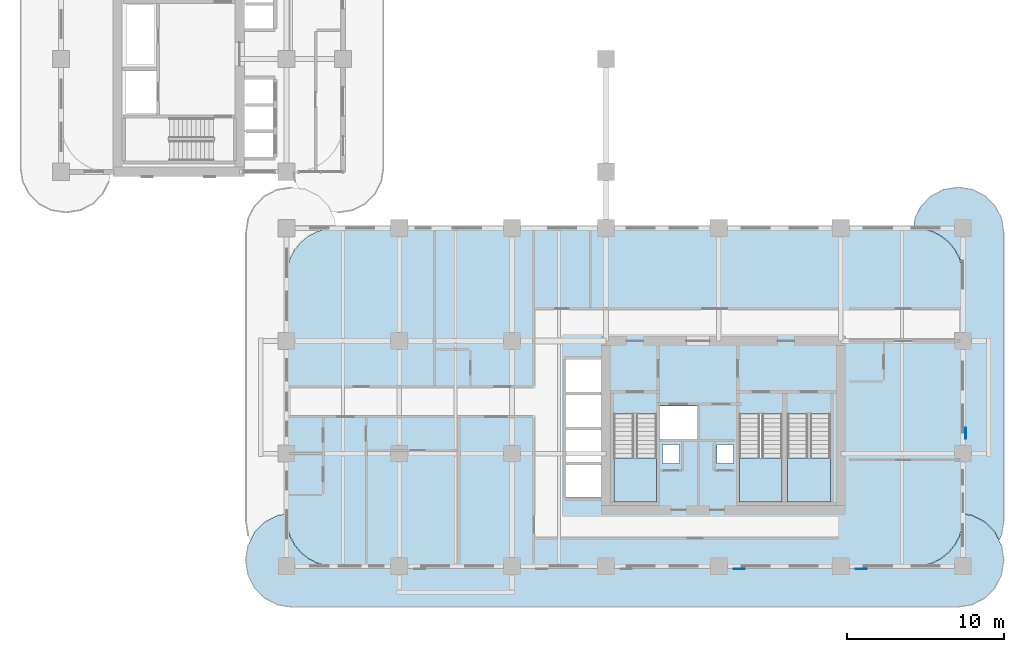
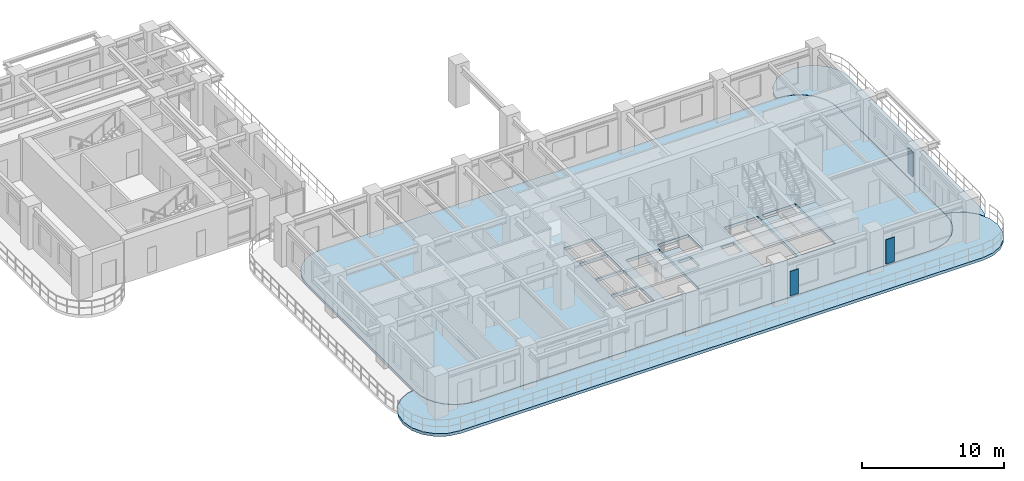
# One storey, part 5 of 19: 6 slabs, 3 plates, 3 elements without a shape of their own.
"""IFC4 building model written with IfcOpenShell, lengths in metres."""

from ifc_helpers import new_model, si_unit, derived_unit, direction, frame, origin, origin_2d, place, context, subcontext, project, spatial, polyline, rectangle, outline, extrude, source, transform, mapped, material, layer, layer_set, type_object, type_shapes, element, aggregate, save


model = new_model("IFC4")

# Units and contexts
model_context = context("Model", 3, precision=1e-05, world=origin(), true_north=direction((0.0, 1.0)))
body_context = subcontext(model_context, "Body", "Model", "MODEL_VIEW")
ifc_project = project(units=[si_unit("LENGTHUNIT", "METRE"), si_unit("AREAUNIT", "SQUARE_METRE"), si_unit("VOLUMEUNIT", "CUBIC_METRE"), si_unit("PLANEANGLEUNIT", "RADIAN"), si_unit("MASSUNIT", "GRAM", prefix="KILO"), si_unit("THERMODYNAMICTEMPERATUREUNIT", "KELVIN"), si_unit("POWERUNIT", "WATT"), derived_unit("THERMALTRANSMITTANCEUNIT", [(si_unit("POWERUNIT", "WATT"), 1), (si_unit("AREAUNIT", "SQUARE_METRE"), -1), (si_unit("THERMODYNAMICTEMPERATUREUNIT", "KELVIN"), -1)])], contexts=[model_context])

# Site, building, storey
site_placement = place(None, origin())
site = spatial("IfcSite", under=ifc_project, at=site_placement, CompositionType="ELEMENT")
building_placement = place(site_placement, origin())
building = spatial("IfcBuilding", under=site, at=building_placement, Name="Zahravan Archway Hotel and Residences", CompositionType="ELEMENT")
storey_placement = place(building_placement, frame((0.0, 0.0, 62.0)))
storey = spatial("IfcBuildingStorey", under=building, at=storey_placement, Name="L14", CompositionType="ELEMENT", Elevation=62.0)

# Slabs
ifc_material_1 = material(Name="Concrete C45/55", Category="concrete")
ifc_layer_1 = layer(ifc_material_1, 0.25, Name="Concrete C45/55", Category="concrete")
ifc_layer_set_1 = layer_set([ifc_layer_1], Name="Concrete C45/55")
slab_type_1 = type_object("IfcSlabType", Name="SLB-BALC-250", PredefinedType="FLOOR", material=ifc_layer_set_1)
slab_1_placement = place(storey_placement, frame((0.0, 0.0, -0.25)))
element("IfcSlab", 1, at=slab_1_placement, inside=storey, type_object=slab_type_1, Name="L14 Wing A South Rounded Balcony Band", PredefinedType="FLOOR", context=body_context, shape_type="SweptSolid", body=[
    extrude(outline(polyline([(58.16162109375, 3.255615234375), (58.98388671875, 2.836669921875), (59.63671875, 2.18408203125), (60.0556640625, 1.361572265625), (60.199951171875, 0.449951171875), (60.199951171875, 0.35009765625), (60.0556640625, -0.5615234375), (59.63671875, -1.384033203125), (58.98388671875, -2.03662109375), (58.16162109375, -2.45556640625), (57.25, -2.60009765625), (14.75, -2.60009765625), (13.83837890625, -2.45556640625), (13.01611328125, -2.03662109375), (12.36328125, -1.384033203125), (11.9443359375, -0.5615234375), (11.800048828125, 0.35009765625), (11.800048828125, 0.449951171875), (11.9443359375, 1.361572265625), (12.36328125, 2.18408203125), (13.01611328125, 2.836669921875), (13.83837890625, 3.255615234375), (14.3798828125, 3.34130859375), (14.3798828125, 3.10009765625), (14.380126953125, 3.097900390625), (14.439697265625, 2.4931640625), (14.43994140625, 2.4912109375), (14.4404296875, 2.489501953125), (14.616943359375, 1.907958984375), (14.617431640625, 1.906005859375), (14.618408203125, 1.904296875), (14.90478515625, 1.368408203125), (14.90576171875, 1.36669921875), (14.906982421875, 1.364990234375), (15.29248046875, 0.895263671875), (15.2939453125, 0.893798828125), (15.29541015625, 0.892578125), (15.764892578125, 0.5068359375), (15.7666015625, 0.505859375), (15.768310546875, 0.5048828125), (16.30419921875, 0.218505859375), (16.305908203125, 0.217529296875), (16.307861328125, 0.216796875), (16.889404296875, 0.04052734375), (16.891357421875, 0.0400390625), (16.893310546875, 0.039794921875), (17.498046875, -0.02001953125), (17.5, -0.02001953125), (54.5, -0.02001953125), (54.501953125, -0.02001953125), (55.106689453125, 0.039794921875), (55.108642578125, 0.0400390625), (55.110595703125, 0.04052734375), (55.692138671875, 0.216796875), (55.694091796875, 0.217529296875), (55.69580078125, 0.218505859375), (56.231689453125, 0.5048828125), (56.2333984375, 0.505859375), (56.235107421875, 0.5068359375), (56.70458984375, 0.892578125), (56.7060546875, 0.893798828125), (56.70751953125, 0.895263671875), (57.093017578125, 1.364990234375), (57.09423828125, 1.36669921875), (57.09521484375, 1.368408203125), (57.381591796875, 1.904296875), (57.382568359375, 1.906005859375), (57.383056640625, 1.907958984375), (57.5595703125, 2.489501953125), (57.56005859375, 2.4912109375), (57.560302734375, 2.4931640625), (57.619873046875, 3.097900390625), (57.6201171875, 3.10009765625), (57.6201171875, 3.34130859375), (58.16162109375, 3.255615234375)])), origin(), (0.0, 0.0, 1.0), 0.25),
])
slab_2_placement = place(storey_placement, frame((0.0, 0.0, -0.25)))
element("IfcSlab", 2, at=slab_2_placement, inside=storey, type_object=slab_type_1, Name="L14 Wing A East Rounded Balcony Band", PredefinedType="FLOOR", context=body_context, shape_type="SweptSolid", body=[
    extrude(outline(polyline([(54.53955078125, 22.230712890625), (54.9443359375, 23.025146484375), (55.57470703125, 23.65576171875), (56.369384765625, 24.060546875), (57.25, 24.199951171875), (57.35009765625, 24.199951171875), (58.230712890625, 24.060546875), (59.025146484375, 23.65576171875), (59.65576171875, 23.025146484375), (60.060546875, 22.230712890625), (60.199951171875, 21.35009765625), (60.199951171875, 2.85009765625), (60.060546875, 1.96923828125), (59.91455078125, 1.6826171875), (59.654296875, 2.193115234375), (59.6533203125, 2.19482421875), (59.652099609375, 2.196533203125), (59.650634765625, 2.197998046875), (58.998046875, 2.8505859375), (58.99658203125, 2.85205078125), (58.994873046875, 2.853515625), (58.9931640625, 2.8544921875), (58.170654296875, 3.2734375), (58.168701171875, 3.2744140625), (58.166748046875, 3.27490234375), (58.164794921875, 3.275390625), (57.623046875, 3.361083984375), (57.62109375, 3.361328125), (57.6201171875, 3.361328125), (57.6201171875, 18.5), (57.619873046875, 18.501953125), (57.560302734375, 19.106689453125), (57.56005859375, 19.108642578125), (57.5595703125, 19.110595703125), (57.383056640625, 19.692138671875), (57.382568359375, 19.694091796875), (57.381591796875, 19.69580078125), (57.09521484375, 20.231689453125), (57.09423828125, 20.2333984375), (57.093017578125, 20.235107421875), (56.70751953125, 20.70458984375), (56.7060546875, 20.7060546875), (56.70458984375, 20.70751953125), (56.235107421875, 21.093017578125), (56.2333984375, 21.09423828125), (56.231689453125, 21.09521484375), (55.69580078125, 21.381591796875), (55.694091796875, 21.382568359375), (55.692138671875, 21.383056640625), (55.110595703125, 21.5595703125), (55.108642578125, 21.56005859375), (55.106689453125, 21.560302734375), (54.501953125, 21.619873046875), (54.5, 21.6201171875), (54.44287109375, 21.6201171875), (54.53955078125, 22.230712890625)])), origin(), (0.0, 0.0, 1.0), 0.25),
])
ifc_layer_2 = layer(ifc_material_1, 0.25, Name="Concrete C45/55", Category="concrete")
ifc_layer_set_2 = layer_set([ifc_layer_2], Name="Concrete C45/55")
slab_type_2 = type_object("IfcSlabType", Name="SLB-FLR-250", PredefinedType="FLOOR", material=ifc_layer_set_2)
slab_3_placement = place(storey_placement, frame((0.0, 0.0, -0.25)))
element("IfcSlab", 3, at=slab_3_placement, inside=storey, type_object=slab_type_2, Name="L14 Floor Slab WA", PredefinedType="FLOOR", context=body_context, shape_type="SweptSolid", body=[
    extrude(outline(polyline([(54.5, 0.0), (55.104736328125, 0.0595703125), (55.686279296875, 0.236083984375), (56.222412109375, 0.5224609375), (56.69189453125, 0.907958984375), (57.07763671875, 1.377685546875), (57.364013671875, 1.913818359375), (57.540283203125, 2.4951171875), (57.60009765625, 3.10009765625), (57.60009765625, 18.5), (57.540283203125, 19.104736328125), (57.364013671875, 19.686279296875), (57.07763671875, 20.222412109375), (56.69189453125, 20.69189453125), (56.222412109375, 21.07763671875), (55.686279296875, 21.364013671875), (55.104736328125, 21.540283203125), (54.5, 21.60009765625), (17.5, 21.60009765625), (16.895263671875, 21.540283203125), (16.313720703125, 21.364013671875), (15.777587890625, 21.07763671875), (15.30810546875, 20.69189453125), (14.92236328125, 20.222412109375), (14.635986328125, 19.686279296875), (14.459716796875, 19.104736328125), (14.39990234375, 18.5), (14.39990234375, 3.10009765625), (14.459716796875, 2.4951171875), (14.635986328125, 1.913818359375), (14.92236328125, 1.377685546875), (15.30810546875, 0.907958984375), (15.777587890625, 0.5224609375), (16.313720703125, 0.236083984375), (16.895263671875, 0.0595703125), (17.5, 0.0), (54.5, 0.0)]), holes=[polyline([(35.300048828125, 9.72998046875), (35.300048828125, 4.10009765625), (38.0400390625, 4.10009765625), (38.0400390625, 9.72998046875), (35.300048828125, 9.72998046875)]), polyline([(43.320068359375, 9.72998046875), (43.320068359375, 4.10009765625), (46.06005859375, 4.10009765625), (46.06005859375, 9.72998046875), (43.320068359375, 9.72998046875)]), polyline([(46.39990234375, 9.72998046875), (46.39990234375, 4.10009765625), (49.139892578125, 4.10009765625), (49.139892578125, 9.72998046875), (46.39990234375, 9.72998046875)]), polyline([(38.179931640625, 8.14990234375), (40.699951171875, 8.14990234375), (40.699951171875, 10.25), (38.179931640625, 10.25), (38.179931640625, 8.14990234375)]), polyline([(32.25, 4.39990234375), (34.550048828125, 4.39990234375), (34.550048828125, 6.47998046875), (32.25, 6.47998046875), (32.25, 4.39990234375)]), polyline([(32.25, 6.639892578125), (34.550048828125, 6.639892578125), (34.550048828125, 8.719970703125), (32.25, 8.719970703125), (32.25, 6.639892578125)]), polyline([(32.25, 8.8798828125), (34.550048828125, 8.8798828125), (34.550048828125, 10.9599609375), (32.25, 10.9599609375), (32.25, 8.8798828125)]), polyline([(32.25, 11.1201171875), (34.550048828125, 11.1201171875), (34.550048828125, 13.199951171875), (32.25, 13.199951171875), (32.25, 11.1201171875)]), polyline([(38.419921875, 6.56005859375), (39.5, 6.56005859375), (39.5, 7.780029296875), (38.419921875, 7.780029296875), (38.419921875, 6.56005859375)]), polyline([(41.89990234375, 6.56005859375), (42.9599609375, 6.56005859375), (42.9599609375, 7.780029296875), (41.89990234375, 7.780029296875), (41.89990234375, 6.56005859375)])]), origin(), (0.0, 0.0, 1.0), 0.25),
])

# Stair, slab
ifc_material_2 = material(Name="Concrete C50/60", Category="concrete")
stair_type = type_object("IfcStairType", Name="STR-CORE-1300", PredefinedType="HALF_TURN_STAIR", material=ifc_material_2)
stair_1_placement = place(storey_placement, origin())
stair_1 = element("IfcStair", 4, at=stair_1_placement, inside=storey, type_object=stair_type, Name="L14 Core A Exit Stair 1", PredefinedType="HALF_TURN_STAIR")
ifc_layer_3 = layer(ifc_material_2, 0.199951171875, Name="Concrete C50/60", Category="concrete")
ifc_layer_set_3 = layer_set([ifc_layer_3], Name="Concrete C50/60")
slab_type_3 = type_object("IfcSlabType", Name="SLB-LND-200", PredefinedType="LANDING", material=ifc_layer_set_3)
slab_4_placement = place(storey_placement, frame((0.0, 0.0, 1.64990234375)))
slab_4 = element("IfcSlab", 5, at=slab_4_placement, type_object=slab_type_3, Name="ST-A1 landing 1", PredefinedType="LANDING", context=body_context, shape_type="SweptSolid", body=[
    extrude(outline(polyline([(35.300048828125, 6.929931640625), (35.300048828125, 4.10009765625), (38.0400390625, 4.10009765625), (38.0400390625, 6.929931640625), (35.300048828125, 6.929931640625)])), origin(), (0.0, 0.0, 1.0), 0.2001953125),
])
aggregate(stair_1, [slab_4])

stair_2_placement = place(storey_placement, origin())
stair_2 = element("IfcStair", 6, at=stair_2_placement, inside=storey, type_object=stair_type, Name="L14 Core A Exit Stair 2", PredefinedType="HALF_TURN_STAIR")
slab_5_placement = place(storey_placement, frame((0.0, 0.0, 1.64990234375)))
slab_5 = element("IfcSlab", 7, at=slab_5_placement, type_object=slab_type_3, Name="ST-A2 landing 1", PredefinedType="LANDING", context=body_context, shape_type="SweptSolid", body=[
    extrude(outline(polyline([(43.320068359375, 6.929931640625), (43.320068359375, 4.10009765625), (46.06005859375, 4.10009765625), (46.06005859375, 6.929931640625), (43.320068359375, 6.929931640625)])), origin(), (0.0, 0.0, 1.0), 0.2001953125),
])
aggregate(stair_2, [slab_5])

stair_3_placement = place(storey_placement, origin())
stair_3 = element("IfcStair", 8, at=stair_3_placement, inside=storey, type_object=stair_type, Name="L14 Core A Exit Stair 3", PredefinedType="HALF_TURN_STAIR")
slab_6_placement = place(storey_placement, frame((0.0, 0.0, 1.64990234375)))
slab_6 = element("IfcSlab", 9, at=slab_6_placement, type_object=slab_type_3, Name="ST-A3 landing 1", PredefinedType="LANDING", context=body_context, shape_type="SweptSolid", body=[
    extrude(outline(polyline([(46.39990234375, 6.929931640625), (46.39990234375, 4.10009765625), (49.139892578125, 4.10009765625), (49.139892578125, 6.929931640625), (46.39990234375, 6.929931640625)])), origin(), (0.0, 0.0, 1.0), 0.2001953125),
])
aggregate(stair_3, [slab_6])

# Plates
ifc_material_3 = material(Name="Perforated Cast Bronze Jali Lattice")
ifc_layer_4 = layer(ifc_material_3, 0.044921875, Name="Perforated Cast Bronze Jali Lattice")
ifc_layer_set_4 = layer_set([ifc_layer_4], Name="Perforated Cast Bronze Jali Lattice")
plate_type = type_object("IfcPlateType", Name="PLT-JALI-BAY", PredefinedType="USERDEFINED", material=ifc_layer_set_4)
shared_shape = source(origin(), body_context, "Body", "SweptSolid", [
    extrude(rectangle(XDim=0.699951171875, YDim=0.044921875, at=origin_2d()), origin(), (0.0, 0.0, 1.0), 2.10009765625),
])
type_shapes(plate_type, [shared_shape])
for number, where, z_axis, x_axis, name in (
    (10, (43.300048828125, -0.177978515625, 0.25), (0.0, 0.0, 1.0), (1.0, 0.0, 0.0), "L14 Perforated Bronze Jali Pier Screen 04"),
    (11, (51.10009765625, -0.177978515625, 0.25), (0.0, 0.0, 1.0), (1.0, 0.0, 0.0), "L14 Perforated Bronze Jali Pier Screen 05"),
    (12, (57.778076171875, 8.5, 0.25), (0.0, 0.0, 1.0), (0.0, 1.0, 0.0), "L14 Perforated Bronze Jali Pier Screen 06"),
):
    element("IfcPlate", number, at=place(storey_placement, frame(where, z_axis=z_axis, x_axis=x_axis)), inside=storey, type_object=plate_type, Name=name, ObjectType="SCREEN", PredefinedType="USERDEFINED", context=body_context, shape_type="MappedRepresentation", body=[
        mapped(shared_shape, transform((0.0, 0.0, 0.0), scale=1.0)),
    ])

save(model, "model.ifc")
